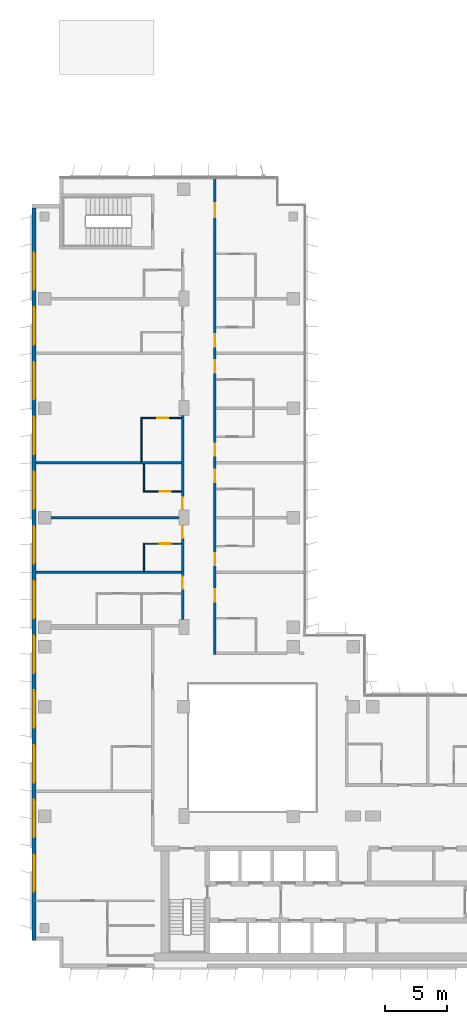
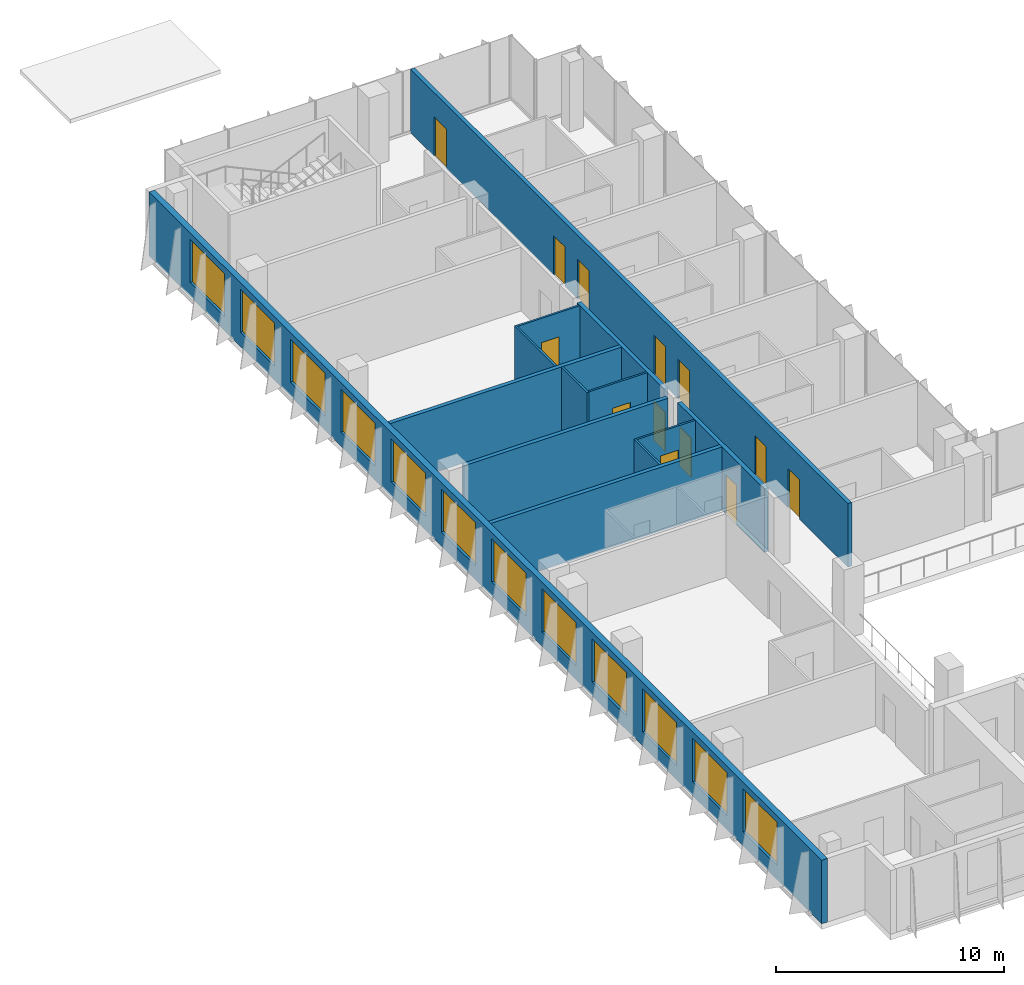
# One storey, part 16 of 21: 13 doors, 13 walls, 12 windows, 25 openings.
"""IFC4 building model written with IfcOpenShell, lengths in metres."""

from ifc_helpers import new_model, si_unit, direction, frame, frame_2d, origin, place, context, subcontext, project, spatial, rectangle, extrude, material, layer, layer_set, type_object, element, fill, save


model = new_model("IFC4")

# Units and contexts
model_context = context("Model", 3, precision=1e-05, world=origin(), true_north=direction((0.0, 1.0)))
body_context = subcontext(model_context, "Body", "Model", "MODEL_VIEW")
ifc_project = project(units=[si_unit("LENGTHUNIT", "METRE"), si_unit("AREAUNIT", "SQUARE_METRE"), si_unit("VOLUMEUNIT", "CUBIC_METRE"), si_unit("PLANEANGLEUNIT", "RADIAN"), si_unit("MASSUNIT", "GRAM", prefix="KILO")], contexts=[model_context])

# Site, building, storey
site_placement = place(None, origin())
site = spatial("IfcSite", under=ifc_project, at=site_placement, CompositionType="ELEMENT")
building_placement = place(site_placement, origin())
building = spatial("IfcBuilding", under=site, at=building_placement, Name="Kemantara Hotel Tower", CompositionType="ELEMENT")
storey_placement = place(building_placement, frame((0.0, 0.0, 156.800048828125)))
storey = spatial("IfcBuildingStorey", under=building, at=storey_placement, Name="L38", CompositionType="ELEMENT", Elevation=156.800048828125)

# Wall, openings, windows
ifc_material_1 = material(Name="Bronze anodised aluminium cladding on insulated steel stud wall", Category="steel")
ifc_layer_1 = layer(ifc_material_1, 0.300048828125)
ifc_layer_set_1 = layer_set([ifc_layer_1], Name="Bronze anodised aluminium cladding on insulated steel stud wall")
wall_type_1 = type_object("IfcWallType", Name="BRONZE METAL-CLAD EXTERNAL WALL 300", PredefinedType="STANDARD", material=ifc_layer_set_1)
wall_1_placement = place(storey_placement, frame((0.14990234375, 61.10009765625, 0.0), z_axis=(0.0, 0.0, 1.0), x_axis=(0.0, -1.0, 0.0)))
wall_1 = element("IfcWall", 1, at=wall_1_placement, inside=storey, type_object=wall_type_1, Name="EXTERNAL WALL L38 T3-R05", PredefinedType="STANDARD", context=body_context, shape_type="SweptSolid", body=[
    extrude(rectangle(XDim=58.900146484375, YDim=0.300048828125, at=frame_2d((29.4501953125, 0.0))), origin(), (0.0, 0.0, 1.0), 3.39990234375),
])
opening_1_placement = place(wall_1_placement, frame((3.60009765625, 0.0, 0.75)))
opening_1 = element("IfcOpeningElement", 2, at=opening_1_placement, cuts=wall_1, Name="Opening W1", PredefinedType="OPENING", context=body_context, shape_type="SweptSolid", body=[
    extrude(rectangle(XDim=3.0, YDim=2.300048828125, at=frame_2d((1.5, 1.14990234375))), frame((0.0, 0.159912109375, 0.0), z_axis=(0.0, -1.0, 0.0), x_axis=(1.0, 0.0, 0.0)), (0.0, 0.0, 1.0), 0.320068359375),
])
opening_2_placement = place(wall_1_placement, frame((8.0, 0.0, 0.75)))
opening_2 = element("IfcOpeningElement", 3, at=opening_2_placement, cuts=wall_1, Name="Opening W1", PredefinedType="OPENING", context=body_context, shape_type="SweptSolid", body=[
    extrude(rectangle(XDim=3.0, YDim=2.300048828125, at=frame_2d((1.5, 1.14990234375))), frame((0.0, 0.159912109375, 0.0), z_axis=(0.0, -1.0, 0.0), x_axis=(1.0, 0.0, 0.0)), (0.0, 0.0, 1.0), 0.320068359375),
])
opening_3_placement = place(wall_1_placement, frame((12.39990234375, 0.0, 0.75)))
opening_3 = element("IfcOpeningElement", 4, at=opening_3_placement, cuts=wall_1, Name="Opening W1", PredefinedType="OPENING", context=body_context, shape_type="SweptSolid", body=[
    extrude(rectangle(XDim=3.0, YDim=2.300048828125, at=frame_2d((1.5, 1.14990234375))), frame((0.0, 0.159912109375, 0.0), z_axis=(0.0, -1.0, 0.0), x_axis=(1.0, 0.0, 0.0)), (0.0, 0.0, 1.0), 0.320068359375),
])
opening_4_placement = place(wall_1_placement, frame((16.800048828125, 0.0, 0.75)))
opening_4 = element("IfcOpeningElement", 5, at=opening_4_placement, cuts=wall_1, Name="Opening W1", PredefinedType="OPENING", context=body_context, shape_type="SweptSolid", body=[
    extrude(rectangle(XDim=3.0, YDim=2.300048828125, at=frame_2d((1.5, 1.14990234375))), frame((0.0, 0.159912109375, 0.0), z_axis=(0.0, -1.0, 0.0), x_axis=(1.0, 0.0, 0.0)), (0.0, 0.0, 1.0), 0.320068359375),
])
opening_5_placement = place(wall_1_placement, frame((21.199951171875, 0.0, 0.75)))
opening_5 = element("IfcOpeningElement", 6, at=opening_5_placement, cuts=wall_1, Name="Opening W1", PredefinedType="OPENING", context=body_context, shape_type="SweptSolid", body=[
    extrude(rectangle(XDim=3.0, YDim=2.300048828125, at=frame_2d((1.5, 1.14990234375))), frame((0.0, 0.159912109375, 0.0), z_axis=(0.0, -1.0, 0.0), x_axis=(1.0, 0.0, 0.0)), (0.0, 0.0, 1.0), 0.320068359375),
])
opening_6_placement = place(wall_1_placement, frame((25.60009765625, 0.0, 0.75)))
opening_6 = element("IfcOpeningElement", 7, at=opening_6_placement, cuts=wall_1, Name="Opening W1", PredefinedType="OPENING", context=body_context, shape_type="SweptSolid", body=[
    extrude(rectangle(XDim=3.0, YDim=2.300048828125, at=frame_2d((1.5, 1.14990234375))), frame((0.0, 0.159912109375, 0.0), z_axis=(0.0, -1.0, 0.0), x_axis=(1.0, 0.0, 0.0)), (0.0, 0.0, 1.0), 0.320068359375),
])
opening_7_placement = place(wall_1_placement, frame((30.0, 0.0, 0.75)))
opening_7 = element("IfcOpeningElement", 8, at=opening_7_placement, cuts=wall_1, Name="Opening W1", PredefinedType="OPENING", context=body_context, shape_type="SweptSolid", body=[
    extrude(rectangle(XDim=3.0, YDim=2.300048828125, at=frame_2d((1.5, 1.14990234375))), frame((0.0, 0.159912109375, 0.0), z_axis=(0.0, -1.0, 0.0), x_axis=(1.0, 0.0, 0.0)), (0.0, 0.0, 1.0), 0.320068359375),
])
opening_8_placement = place(wall_1_placement, frame((34.39990234375, 0.0, 0.75)))
opening_8 = element("IfcOpeningElement", 9, at=opening_8_placement, cuts=wall_1, Name="Opening W1", PredefinedType="OPENING", context=body_context, shape_type="SweptSolid", body=[
    extrude(rectangle(XDim=3.0, YDim=2.300048828125, at=frame_2d((1.5, 1.14990234375))), frame((0.0, 0.159912109375, 0.0), z_axis=(0.0, -1.0, 0.0), x_axis=(1.0, 0.0, 0.0)), (0.0, 0.0, 1.0), 0.320068359375),
])
opening_9_placement = place(wall_1_placement, frame((38.800048828125, 0.0, 0.75)))
opening_9 = element("IfcOpeningElement", 10, at=opening_9_placement, cuts=wall_1, Name="Opening W1", PredefinedType="OPENING", context=body_context, shape_type="SweptSolid", body=[
    extrude(rectangle(XDim=3.0, YDim=2.300048828125, at=frame_2d((1.5, 1.14990234375))), frame((0.0, 0.159912109375, 0.0), z_axis=(0.0, -1.0, 0.0), x_axis=(1.0, 0.0, 0.0)), (0.0, 0.0, 1.0), 0.320068359375),
])
opening_10_placement = place(wall_1_placement, frame((43.199951171875, 0.0, 0.75)))
opening_10 = element("IfcOpeningElement", 11, at=opening_10_placement, cuts=wall_1, Name="Opening W1", PredefinedType="OPENING", context=body_context, shape_type="SweptSolid", body=[
    extrude(rectangle(XDim=3.0, YDim=2.300048828125, at=frame_2d((1.5, 1.14990234375))), frame((0.0, 0.159912109375, 0.0), z_axis=(0.0, -1.0, 0.0), x_axis=(1.0, 0.0, 0.0)), (0.0, 0.0, 1.0), 0.320068359375),
])
opening_11_placement = place(wall_1_placement, frame((47.60009765625, 0.0, 0.75)))
opening_11 = element("IfcOpeningElement", 12, at=opening_11_placement, cuts=wall_1, Name="Opening W1", PredefinedType="OPENING", context=body_context, shape_type="SweptSolid", body=[
    extrude(rectangle(XDim=3.0, YDim=2.300048828125, at=frame_2d((1.5, 1.14990234375))), frame((0.0, 0.159912109375, 0.0), z_axis=(0.0, -1.0, 0.0), x_axis=(1.0, 0.0, 0.0)), (0.0, 0.0, 1.0), 0.320068359375),
])
opening_12_placement = place(wall_1_placement, frame((52.0, 0.0, 0.75)))
opening_12 = element("IfcOpeningElement", 13, at=opening_12_placement, cuts=wall_1, Name="Opening W1", PredefinedType="OPENING", context=body_context, shape_type="SweptSolid", body=[
    extrude(rectangle(XDim=3.0, YDim=2.300048828125, at=frame_2d((1.5, 1.14990234375))), frame((0.0, 0.159912109375, 0.0), z_axis=(0.0, -1.0, 0.0), x_axis=(1.0, 0.0, 0.0)), (0.0, 0.0, 1.0), 0.320068359375),
])
ifc_material_2 = material(Name="Low-E tinted double insulated glass in bronze anodised aluminium frame", Category="aluminium")
window_type = type_object("IfcWindowType", Name="CHICAGO WINDOW, TRIPLE PANEL 3000x2300", PartitioningType="TRIPLE_PANEL_VERTICAL", PredefinedType="WINDOW", material=ifc_material_2)
window_1_placement = place(opening_1_placement, origin())
window_1 = element("IfcWindow", 14, at=window_1_placement, inside=storey, type_object=window_type, Name="CHICAGO WINDOW L38 T3-R05-54", OverallHeight=2.300048828125, OverallWidth=3.0, PartitioningType="SINGLE_PANEL", PredefinedType="WINDOW", context=body_context, shape_type="SweptSolid", body=[
    extrude(rectangle(XDim=3.0, YDim=2.300048828125, at=frame_2d((1.5, 1.14990234375))), frame((0.0, 0.030029296875, 0.0), z_axis=(0.0, -1.0, 0.0), x_axis=(1.0, 0.0, 0.0)), (0.0, 0.0, 1.0), 0.06005859375),
])
fill(opening_1, window_1)
window_2_placement = place(opening_2_placement, origin())
window_2 = element("IfcWindow", 15, at=window_2_placement, inside=storey, type_object=window_type, Name="CHICAGO WINDOW L38 T3-R05-98", OverallHeight=2.300048828125, OverallWidth=3.0, PartitioningType="SINGLE_PANEL", PredefinedType="WINDOW", context=body_context, shape_type="SweptSolid", body=[
    extrude(rectangle(XDim=3.0, YDim=2.300048828125, at=frame_2d((1.5, 1.14990234375))), frame((0.0, 0.030029296875, 0.0), z_axis=(0.0, -1.0, 0.0), x_axis=(1.0, 0.0, 0.0)), (0.0, 0.0, 1.0), 0.06005859375),
])
fill(opening_2, window_2)
window_3_placement = place(opening_3_placement, origin())
window_3 = element("IfcWindow", 16, at=window_3_placement, inside=storey, type_object=window_type, Name="CHICAGO WINDOW L38 T3-R05-142", OverallHeight=2.300048828125, OverallWidth=3.0, PartitioningType="SINGLE_PANEL", PredefinedType="WINDOW", context=body_context, shape_type="SweptSolid", body=[
    extrude(rectangle(XDim=3.0, YDim=2.300048828125, at=frame_2d((1.5, 1.14990234375))), frame((0.0, 0.030029296875, 0.0), z_axis=(0.0, -1.0, 0.0), x_axis=(1.0, 0.0, 0.0)), (0.0, 0.0, 1.0), 0.06005859375),
])
fill(opening_3, window_3)
window_4_placement = place(opening_4_placement, origin())
window_4 = element("IfcWindow", 17, at=window_4_placement, inside=storey, type_object=window_type, Name="CHICAGO WINDOW L38 T3-R05-186", OverallHeight=2.300048828125, OverallWidth=3.0, PartitioningType="SINGLE_PANEL", PredefinedType="WINDOW", context=body_context, shape_type="SweptSolid", body=[
    extrude(rectangle(XDim=3.0, YDim=2.300048828125, at=frame_2d((1.5, 1.14990234375))), frame((0.0, 0.030029296875, 0.0), z_axis=(0.0, -1.0, 0.0), x_axis=(1.0, 0.0, 0.0)), (0.0, 0.0, 1.0), 0.06005859375),
])
fill(opening_4, window_4)
window_5_placement = place(opening_5_placement, origin())
window_5 = element("IfcWindow", 18, at=window_5_placement, inside=storey, type_object=window_type, Name="CHICAGO WINDOW L38 T3-R05-230", OverallHeight=2.300048828125, OverallWidth=3.0, PartitioningType="SINGLE_PANEL", PredefinedType="WINDOW", context=body_context, shape_type="SweptSolid", body=[
    extrude(rectangle(XDim=3.0, YDim=2.300048828125, at=frame_2d((1.5, 1.14990234375))), frame((0.0, 0.030029296875, 0.0), z_axis=(0.0, -1.0, 0.0), x_axis=(1.0, 0.0, 0.0)), (0.0, 0.0, 1.0), 0.06005859375),
])
fill(opening_5, window_5)
window_6_placement = place(opening_6_placement, origin())
window_6 = element("IfcWindow", 19, at=window_6_placement, inside=storey, type_object=window_type, Name="CHICAGO WINDOW L38 T3-R05-274", OverallHeight=2.300048828125, OverallWidth=3.0, PartitioningType="SINGLE_PANEL", PredefinedType="WINDOW", context=body_context, shape_type="SweptSolid", body=[
    extrude(rectangle(XDim=3.0, YDim=2.300048828125, at=frame_2d((1.5, 1.14990234375))), frame((0.0, 0.030029296875, 0.0), z_axis=(0.0, -1.0, 0.0), x_axis=(1.0, 0.0, 0.0)), (0.0, 0.0, 1.0), 0.06005859375),
])
fill(opening_6, window_6)
window_7_placement = place(opening_7_placement, origin())
window_7 = element("IfcWindow", 20, at=window_7_placement, inside=storey, type_object=window_type, Name="CHICAGO WINDOW L38 T3-R05-318", OverallHeight=2.300048828125, OverallWidth=3.0, PartitioningType="SINGLE_PANEL", PredefinedType="WINDOW", context=body_context, shape_type="SweptSolid", body=[
    extrude(rectangle(XDim=3.0, YDim=2.300048828125, at=frame_2d((1.5, 1.14990234375))), frame((0.0, 0.030029296875, 0.0), z_axis=(0.0, -1.0, 0.0), x_axis=(1.0, 0.0, 0.0)), (0.0, 0.0, 1.0), 0.06005859375),
])
fill(opening_7, window_7)
window_8_placement = place(opening_8_placement, origin())
window_8 = element("IfcWindow", 21, at=window_8_placement, inside=storey, type_object=window_type, Name="CHICAGO WINDOW L38 T3-R05-362", OverallHeight=2.300048828125, OverallWidth=3.0, PartitioningType="SINGLE_PANEL", PredefinedType="WINDOW", context=body_context, shape_type="SweptSolid", body=[
    extrude(rectangle(XDim=3.0, YDim=2.300048828125, at=frame_2d((1.5, 1.14990234375))), frame((0.0, 0.030029296875, 0.0), z_axis=(0.0, -1.0, 0.0), x_axis=(1.0, 0.0, 0.0)), (0.0, 0.0, 1.0), 0.06005859375),
])
fill(opening_8, window_8)
window_9_placement = place(opening_9_placement, origin())
window_9 = element("IfcWindow", 22, at=window_9_placement, inside=storey, type_object=window_type, Name="CHICAGO WINDOW L38 T3-R05-406", OverallHeight=2.300048828125, OverallWidth=3.0, PartitioningType="SINGLE_PANEL", PredefinedType="WINDOW", context=body_context, shape_type="SweptSolid", body=[
    extrude(rectangle(XDim=3.0, YDim=2.300048828125, at=frame_2d((1.5, 1.14990234375))), frame((0.0, 0.030029296875, 0.0), z_axis=(0.0, -1.0, 0.0), x_axis=(1.0, 0.0, 0.0)), (0.0, 0.0, 1.0), 0.06005859375),
])
fill(opening_9, window_9)
window_10_placement = place(opening_10_placement, origin())
window_10 = element("IfcWindow", 23, at=window_10_placement, inside=storey, type_object=window_type, Name="CHICAGO WINDOW L38 T3-R05-450", OverallHeight=2.300048828125, OverallWidth=3.0, PartitioningType="SINGLE_PANEL", PredefinedType="WINDOW", context=body_context, shape_type="SweptSolid", body=[
    extrude(rectangle(XDim=3.0, YDim=2.300048828125, at=frame_2d((1.5, 1.14990234375))), frame((0.0, 0.030029296875, 0.0), z_axis=(0.0, -1.0, 0.0), x_axis=(1.0, 0.0, 0.0)), (0.0, 0.0, 1.0), 0.06005859375),
])
fill(opening_10, window_10)
window_11_placement = place(opening_11_placement, origin())
window_11 = element("IfcWindow", 24, at=window_11_placement, inside=storey, type_object=window_type, Name="CHICAGO WINDOW L38 T3-R05-494", OverallHeight=2.300048828125, OverallWidth=3.0, PartitioningType="SINGLE_PANEL", PredefinedType="WINDOW", context=body_context, shape_type="SweptSolid", body=[
    extrude(rectangle(XDim=3.0, YDim=2.300048828125, at=frame_2d((1.5, 1.14990234375))), frame((0.0, 0.030029296875, 0.0), z_axis=(0.0, -1.0, 0.0), x_axis=(1.0, 0.0, 0.0)), (0.0, 0.0, 1.0), 0.06005859375),
])
fill(opening_11, window_11)
window_12_placement = place(opening_12_placement, origin())
window_12 = element("IfcWindow", 25, at=window_12_placement, inside=storey, type_object=window_type, Name="CHICAGO WINDOW L38 T3-R05-538", OverallHeight=2.300048828125, OverallWidth=3.0, PartitioningType="SINGLE_PANEL", PredefinedType="WINDOW", context=body_context, shape_type="SweptSolid", body=[
    extrude(rectangle(XDim=3.0, YDim=2.300048828125, at=frame_2d((1.5, 1.14990234375))), frame((0.0, 0.030029296875, 0.0), z_axis=(0.0, -1.0, 0.0), x_axis=(1.0, 0.0, 0.0)), (0.0, 0.0, 1.0), 0.06005859375),
])
fill(opening_12, window_12)

# Wall, openings, doors
ifc_material_3 = material(Name="Gypsum board partition, steel studs and mineral wool, 200 mm", Category="steel")
ifc_layer_2 = layer(ifc_material_3, 0.199951171875)
ifc_layer_set_2 = layer_set([ifc_layer_2], Name="Gypsum board partition, steel studs and mineral wool, 200 mm")
wall_type_2 = type_object("IfcWallType", Name="CORRIDOR WALL 200", PredefinedType="PARTITIONING", material=ifc_layer_set_2)
wall_2_placement = place(storey_placement, frame((12.10009765625, 28.0, 0.0), z_axis=(0.0, 0.0, 1.0), x_axis=(0.0, 1.0, 0.0)))
wall_2 = element("IfcWall", 26, at=wall_2_placement, inside=storey, type_object=wall_type_2, Name="CORRIDOR WALL 200 017", PredefinedType="PARTITIONING", context=body_context, shape_type="SweptSolid", body=[
    extrude(rectangle(XDim=7.599853515625, YDim=0.199951171875, at=frame_2d((3.7998046875, 0.0))), origin(), (0.0, 0.0, 1.0), 3.39990234375),
])
opening_13_placement = place(wall_2_placement, frame((2.449951171875, 0.0, 0.0)))
opening_13 = element("IfcOpeningElement", 27, at=opening_13_placement, cuts=wall_2, Name="Opening F17-025", PredefinedType="OPENING", context=body_context, shape_type="SweptSolid", body=[
    extrude(rectangle(XDim=1.0, YDim=2.10009765625, at=frame_2d((0.5, 1.050048828125))), frame((0.0, 0.10986328125, 0.0), z_axis=(0.0, -1.0, 0.0), x_axis=(1.0, 0.0, 0.0)), (0.0, 0.0, 1.0), 0.219970703125),
])
opening_14_placement = place(wall_2_placement, frame((6.5498046875, 0.0, 0.0)))
opening_14 = element("IfcOpeningElement", 28, at=opening_14_placement, cuts=wall_2, Name="Opening F17-028", PredefinedType="OPENING", context=body_context, shape_type="SweptSolid", body=[
    extrude(rectangle(XDim=1.0, YDim=2.10009765625, at=frame_2d((0.5, 1.050048828125))), frame((0.0, 0.10986328125, 0.0), z_axis=(0.0, -1.0, 0.0), x_axis=(1.0, 0.0, 0.0)), (0.0, 0.0, 1.0), 0.219970703125),
])
ifc_material_4 = material(Name="Hardwood veneer door leaf with steel frame", Category="steel")
door_type_1 = type_object("IfcDoorType", Name="GUEST ROOM DOOR 1000 X 2100 FD30S", OperationType="NOTDEFINED", PredefinedType="DOOR", material=ifc_material_4)
door_1_placement = place(opening_13_placement, origin())
door_1 = element("IfcDoor", 29, at=door_1_placement, inside=storey, type_object=door_type_1, Name="GUEST ROOM DOOR F17-025", OperationType="SINGLE_SWING_RIGHT", OverallHeight=2.10009765625, OverallWidth=1.0, PredefinedType="DOOR", context=body_context, shape_type="SweptSolid", body=[
    extrude(rectangle(XDim=1.0, YDim=2.10009765625, at=frame_2d((0.5, 1.050048828125))), frame((0.0, 0.02490234375, 0.0), z_axis=(0.0, -1.0, 0.0), x_axis=(1.0, 0.0, 0.0)), (0.0, 0.0, 1.0), 0.050048828125),
])
fill(opening_13, door_1)
door_2_placement = place(opening_14_placement, origin())
door_2 = element("IfcDoor", 30, at=door_2_placement, inside=storey, type_object=door_type_1, Name="GUEST ROOM DOOR F17-028", OperationType="SINGLE_SWING_RIGHT", OverallHeight=2.10009765625, OverallWidth=1.0, PredefinedType="DOOR", context=body_context, shape_type="SweptSolid", body=[
    extrude(rectangle(XDim=1.0, YDim=2.10009765625, at=frame_2d((0.5, 1.050048828125))), frame((0.0, 0.02490234375, 0.0), z_axis=(0.0, -1.0, 0.0), x_axis=(1.0, 0.0, 0.0)), (0.0, 0.0, 1.0), 0.050048828125),
])
fill(opening_14, door_2)

# Wall, opening, door
wall_3_placement = place(storey_placement, frame((12.10009765625, 36.800048828125, 0.0), z_axis=(0.0, 0.0, 1.0), x_axis=(0.0, 1.0, 0.0)))
wall_3 = element("IfcWall", 31, at=wall_3_placement, inside=storey, type_object=wall_type_2, Name="CORRIDOR WALL 200 018", PredefinedType="PARTITIONING", context=body_context, shape_type="SweptSolid", body=[
    extrude(rectangle(XDim=7.599853515625, YDim=0.199951171875, at=frame_2d((3.7998046875, 0.0))), origin(), (0.0, 0.0, 1.0), 3.39990234375),
])
opening_15_placement = place(wall_3_placement, frame((0.0498046875, 0.0, 0.0)))
opening_15 = element("IfcOpeningElement", 32, at=opening_15_placement, cuts=wall_3, Name="Opening F17-030", PredefinedType="OPENING", context=body_context, shape_type="SweptSolid", body=[
    extrude(rectangle(XDim=1.0, YDim=2.10009765625, at=frame_2d((0.5, 1.050048828125))), frame((0.0, 0.10986328125, 0.0), z_axis=(0.0, -1.0, 0.0), x_axis=(1.0, 0.0, 0.0)), (0.0, 0.0, 1.0), 0.219970703125),
])
door_3_placement = place(opening_15_placement, origin())
door_3 = element("IfcDoor", 33, at=door_3_placement, inside=storey, type_object=door_type_1, Name="GUEST ROOM DOOR F17-030", OperationType="SINGLE_SWING_LEFT", OverallHeight=2.10009765625, OverallWidth=1.0, PredefinedType="DOOR", context=body_context, shape_type="SweptSolid", body=[
    extrude(rectangle(XDim=1.0, YDim=2.10009765625, at=frame_2d((0.5, 1.050048828125))), frame((0.0, 0.02490234375, 0.0), z_axis=(0.0, -1.0, 0.0), x_axis=(1.0, 0.0, 0.0)), (0.0, 0.0, 1.0), 0.050048828125),
])
fill(opening_15, door_3)

# Wall, openings, doors
wall_4_placement = place(storey_placement, frame((14.699951171875, 63.47998046875, 0.0), z_axis=(0.0, 0.0, 1.0), x_axis=(0.0, -1.0, 0.0)))
wall_4 = element("IfcWall", 34, at=wall_4_placement, inside=storey, type_object=wall_type_2, Name="CORRIDOR WALL 200 032", PredefinedType="PARTITIONING", context=body_context, shape_type="SweptSolid", body=[
    extrude(rectangle(XDim=38.280029296875, YDim=0.199951171875, at=frame_2d((19.14013671875, 0.0))), origin(), (0.0, 0.0, 1.0), 3.39990234375),
])
opening_16_placement = place(wall_4_placement, frame((33.02978515625, 0.0, 0.0)))
opening_16 = element("IfcOpeningElement", 35, at=opening_16_placement, cuts=wall_4, Name="Opening F17-038", PredefinedType="OPENING", context=body_context, shape_type="SweptSolid", body=[
    extrude(rectangle(XDim=1.0, YDim=2.10009765625, at=frame_2d((0.5, 1.050048828125))), frame((0.0, 0.10986328125, 0.0), z_axis=(0.0, -1.0, 0.0), x_axis=(1.0, 0.0, 0.0)), (0.0, 0.0, 1.0), 0.219970703125),
])
opening_17_placement = place(wall_4_placement, frame((30.1298828125, 0.0, 0.0)))
opening_17 = element("IfcOpeningElement", 36, at=opening_17_placement, cuts=wall_4, Name="Opening F17-040", PredefinedType="OPENING", context=body_context, shape_type="SweptSolid", body=[
    extrude(rectangle(XDim=1.0, YDim=2.10009765625, at=frame_2d((0.5, 1.050048828125))), frame((0.0, 0.10986328125, 0.0), z_axis=(0.0, -1.0, 0.0), x_axis=(1.0, 0.0, 0.0)), (0.0, 0.0, 1.0), 0.219970703125),
])
opening_18_placement = place(wall_4_placement, frame((23.429931640625, 0.0, 0.0)))
opening_18 = element("IfcOpeningElement", 37, at=opening_18_placement, cuts=wall_4, Name="Opening F17-042", PredefinedType="OPENING", context=body_context, shape_type="SweptSolid", body=[
    extrude(rectangle(XDim=1.0, YDim=2.10009765625, at=frame_2d((0.5, 1.050048828125))), frame((0.0, 0.10986328125, 0.0), z_axis=(0.0, -1.0, 0.0), x_axis=(1.0, 0.0, 0.0)), (0.0, 0.0, 1.0), 0.219970703125),
])
opening_19_placement = place(wall_4_placement, frame((21.329833984375, 0.0, 0.0)))
opening_19 = element("IfcOpeningElement", 38, at=opening_19_placement, cuts=wall_4, Name="Opening F17-044", PredefinedType="OPENING", context=body_context, shape_type="SweptSolid", body=[
    extrude(rectangle(XDim=1.0, YDim=2.10009765625, at=frame_2d((0.5, 1.050048828125))), frame((0.0, 0.10986328125, 0.0), z_axis=(0.0, -1.0, 0.0), x_axis=(1.0, 0.0, 0.0)), (0.0, 0.0, 1.0), 0.219970703125),
])
opening_20_placement = place(wall_4_placement, frame((14.6298828125, 0.0, 0.0)))
opening_20 = element("IfcOpeningElement", 39, at=opening_20_placement, cuts=wall_4, Name="Opening F17-046", PredefinedType="OPENING", context=body_context, shape_type="SweptSolid", body=[
    extrude(rectangle(XDim=1.0, YDim=2.10009765625, at=frame_2d((0.5, 1.050048828125))), frame((0.0, 0.10986328125, 0.0), z_axis=(0.0, -1.0, 0.0), x_axis=(1.0, 0.0, 0.0)), (0.0, 0.0, 1.0), 0.219970703125),
])
opening_21_placement = place(wall_4_placement, frame((12.52978515625, 0.0, 0.0)))
opening_21 = element("IfcOpeningElement", 40, at=opening_21_placement, cuts=wall_4, Name="Opening F17-048", PredefinedType="OPENING", context=body_context, shape_type="SweptSolid", body=[
    extrude(rectangle(XDim=1.0, YDim=2.10009765625, at=frame_2d((0.5, 1.050048828125))), frame((0.0, 0.10986328125, 0.0), z_axis=(0.0, -1.0, 0.0), x_axis=(1.0, 0.0, 0.0)), (0.0, 0.0, 1.0), 0.219970703125),
])
opening_22_placement = place(wall_4_placement, frame((2.02978515625, 0.0, 0.0)))
opening_22 = element("IfcOpeningElement", 41, at=opening_22_placement, cuts=wall_4, Name="Opening F17-050", PredefinedType="OPENING", context=body_context, shape_type="SweptSolid", body=[
    extrude(rectangle(XDim=1.10009765625, YDim=2.10009765625, at=frame_2d((0.550048828125, 1.050048828125))), frame((0.0, 0.10986328125, 0.0), z_axis=(0.0, -1.0, 0.0), x_axis=(1.0, 0.0, 0.0)), (0.0, 0.0, 1.0), 0.219970703125),
])
door_4_placement = place(opening_16_placement, origin())
door_4 = element("IfcDoor", 42, at=door_4_placement, inside=storey, type_object=door_type_1, Name="GUEST ROOM DOOR F17-038", OperationType="SINGLE_SWING_LEFT", OverallHeight=2.10009765625, OverallWidth=1.0, PredefinedType="DOOR", context=body_context, shape_type="SweptSolid", body=[
    extrude(rectangle(XDim=1.0, YDim=2.10009765625, at=frame_2d((0.5, 1.050048828125))), frame((0.0, 0.02490234375, 0.0), z_axis=(0.0, -1.0, 0.0), x_axis=(1.0, 0.0, 0.0)), (0.0, 0.0, 1.0), 0.050048828125),
])
fill(opening_16, door_4)
door_5_placement = place(opening_17_placement, origin())
door_5 = element("IfcDoor", 43, at=door_5_placement, inside=storey, type_object=door_type_1, Name="GUEST ROOM DOOR F17-040", OperationType="SINGLE_SWING_RIGHT", OverallHeight=2.10009765625, OverallWidth=1.0, PredefinedType="DOOR", context=body_context, shape_type="SweptSolid", body=[
    extrude(rectangle(XDim=1.0, YDim=2.10009765625, at=frame_2d((0.5, 1.050048828125))), frame((0.0, 0.02490234375, 0.0), z_axis=(0.0, -1.0, 0.0), x_axis=(1.0, 0.0, 0.0)), (0.0, 0.0, 1.0), 0.050048828125),
])
fill(opening_17, door_5)
door_6_placement = place(opening_18_placement, origin())
door_6 = element("IfcDoor", 44, at=door_6_placement, inside=storey, type_object=door_type_1, Name="GUEST ROOM DOOR F17-042", OperationType="SINGLE_SWING_LEFT", OverallHeight=2.10009765625, OverallWidth=1.0, PredefinedType="DOOR", context=body_context, shape_type="SweptSolid", body=[
    extrude(rectangle(XDim=1.0, YDim=2.10009765625, at=frame_2d((0.5, 1.050048828125))), frame((0.0, 0.02490234375, 0.0), z_axis=(0.0, -1.0, 0.0), x_axis=(1.0, 0.0, 0.0)), (0.0, 0.0, 1.0), 0.050048828125),
])
fill(opening_18, door_6)
door_7_placement = place(opening_19_placement, origin())
door_7 = element("IfcDoor", 45, at=door_7_placement, inside=storey, type_object=door_type_1, Name="GUEST ROOM DOOR F17-044", OperationType="SINGLE_SWING_RIGHT", OverallHeight=2.10009765625, OverallWidth=1.0, PredefinedType="DOOR", context=body_context, shape_type="SweptSolid", body=[
    extrude(rectangle(XDim=1.0, YDim=2.10009765625, at=frame_2d((0.5, 1.050048828125))), frame((0.0, 0.02490234375, 0.0), z_axis=(0.0, -1.0, 0.0), x_axis=(1.0, 0.0, 0.0)), (0.0, 0.0, 1.0), 0.050048828125),
])
fill(opening_19, door_7)
door_8_placement = place(opening_20_placement, origin())
door_8 = element("IfcDoor", 46, at=door_8_placement, inside=storey, type_object=door_type_1, Name="GUEST ROOM DOOR F17-046", OperationType="SINGLE_SWING_LEFT", OverallHeight=2.10009765625, OverallWidth=1.0, PredefinedType="DOOR", context=body_context, shape_type="SweptSolid", body=[
    extrude(rectangle(XDim=1.0, YDim=2.10009765625, at=frame_2d((0.5, 1.050048828125))), frame((0.0, 0.02490234375, 0.0), z_axis=(0.0, -1.0, 0.0), x_axis=(1.0, 0.0, 0.0)), (0.0, 0.0, 1.0), 0.050048828125),
])
fill(opening_20, door_8)
door_9_placement = place(opening_21_placement, origin())
door_9 = element("IfcDoor", 47, at=door_9_placement, inside=storey, type_object=door_type_1, Name="GUEST ROOM DOOR F17-048", OperationType="SINGLE_SWING_RIGHT", OverallHeight=2.10009765625, OverallWidth=1.0, PredefinedType="DOOR", context=body_context, shape_type="SweptSolid", body=[
    extrude(rectangle(XDim=1.0, YDim=2.10009765625, at=frame_2d((0.5, 1.050048828125))), frame((0.0, 0.02490234375, 0.0), z_axis=(0.0, -1.0, 0.0), x_axis=(1.0, 0.0, 0.0)), (0.0, 0.0, 1.0), 0.050048828125),
])
fill(opening_21, door_9)
door_type_2 = type_object("IfcDoorType", Name="SUITE ENTRANCE DOOR 1100 X 2100 FD30S", OperationType="NOTDEFINED", PredefinedType="DOOR", material=ifc_material_4)
door_10_placement = place(opening_22_placement, origin())
door_10 = element("IfcDoor", 48, at=door_10_placement, inside=storey, type_object=door_type_2, Name="SUITE ENTRANCE DOOR F17-050", OperationType="SINGLE_SWING_LEFT", OverallHeight=2.10009765625, OverallWidth=1.10009765625, PredefinedType="DOOR", context=body_context, shape_type="SweptSolid", body=[
    extrude(rectangle(XDim=1.10009765625, YDim=2.10009765625, at=frame_2d((0.550048828125, 1.050048828125))), frame((0.0, 0.02490234375, 0.0), z_axis=(0.0, -1.0, 0.0), x_axis=(1.0, 0.0, 0.0)), (0.0, 0.0, 1.0), 0.050048828125),
])
fill(opening_22, door_10)

# Walls
ifc_layer_3 = layer(ifc_material_3, 0.199951171875)
ifc_layer_set_3 = layer_set([ifc_layer_3], Name="Gypsum board partition, steel studs and mineral wool, 200 mm")
wall_type_3 = type_object("IfcWallType", Name="GUEST ROOM PARTY WALL 200", PredefinedType="PARTITIONING", material=ifc_layer_set_3)
wall_5_placement = place(storey_placement, frame((0.31005859375, 31.800048828125, 0.0), z_axis=(0.0, 0.0, 1.0), x_axis=(1.0, 0.0, 0.0)))
element("IfcWall", 49, at=wall_5_placement, inside=storey, type_object=wall_type_3, Name="GUEST ROOM PARTY WALL 200 022", PredefinedType="PARTITIONING", context=body_context, shape_type="SweptSolid", body=[
    extrude(rectangle(XDim=11.68994140625, YDim=0.199951171875, at=frame_2d((5.844970703125, 0.0))), origin(), (0.0, 0.0, 1.0), 3.39990234375),
])
wall_6_placement = place(storey_placement, frame((1.5, 36.199951171875, 0.0), z_axis=(0.0, 0.0, 1.0), x_axis=(1.0, 0.0, 0.0)))
element("IfcWall", 50, at=wall_6_placement, inside=storey, type_object=wall_type_3, Name="GUEST ROOM PARTY WALL 200 024", PredefinedType="PARTITIONING", context=body_context, shape_type="SweptSolid", body=[
    extrude(rectangle(XDim=10.2998046875, YDim=0.199951171875, at=frame_2d((5.14990234375, 0.0))), origin(), (0.0, 0.0, 1.0), 3.39990234375),
])
wall_7_placement = place(storey_placement, frame((0.31005859375, 40.60009765625, 0.0), z_axis=(0.0, 0.0, 1.0), x_axis=(1.0, 0.0, 0.0)))
element("IfcWall", 51, at=wall_7_placement, inside=storey, type_object=wall_type_3, Name="GUEST ROOM PARTY WALL 200 026", PredefinedType="PARTITIONING", context=body_context, shape_type="SweptSolid", body=[
    extrude(rectangle(XDim=11.68994140625, YDim=0.199951171875, at=frame_2d((5.844970703125, 0.0))), origin(), (0.0, 0.0, 1.0), 3.39990234375),
])
ifc_material_5 = material(Name="Gypsum board partition on steel studs, 100 mm", Category="steel")
ifc_layer_4 = layer(ifc_material_5, 0.10009765625)
ifc_layer_set_4 = layer_set([ifc_layer_4], Name="Gypsum board partition on steel studs, 100 mm")
wall_type_4 = type_object("IfcWallType", Name="ROOM PARTITION 100", PredefinedType="PARTITIONING", material=ifc_layer_set_4)
wall_8_placement = place(storey_placement, frame((8.800048828125, 40.699951171875, 0.0), z_axis=(0.0, 0.0, 1.0), x_axis=(0.0, 1.0, 0.0)))
element("IfcWall", 52, at=wall_8_placement, inside=storey, type_object=wall_type_4, Name="ROOM PARTITION 100 063", PredefinedType="PARTITIONING", context=body_context, shape_type="SweptSolid", body=[
    extrude(rectangle(XDim=3.550048828125, YDim=0.10009765625, at=frame_2d((1.77490234375, 0.0))), origin(), (0.0, 0.0, 1.0), 3.39990234375),
])
for number, where, z_axis, x_axis, name in (
    (53, (9.0, 31.89990234375, 0.0), (0.0, 0.0, 1.0), (0.0, 1.0, 0.0), "ROOM PARTITION 100 066"),
    (54, (9.0, 38.25, 0.0), (0.0, 0.0, 1.0), (0.0, 1.0, 0.0), "ROOM PARTITION 100 067"),
):
    element("IfcWall", number, at=place(storey_placement, frame(where, z_axis=z_axis, x_axis=x_axis)), inside=storey, type_object=wall_type_4, Name=name, PredefinedType="PARTITIONING", context=body_context, shape_type="SweptSolid", body=[
        extrude(rectangle(XDim=2.25, YDim=0.10009765625, at=frame_2d((1.125, 0.0))), origin(), (0.0, 0.0, 1.0), 3.39990234375),
    ])

# Wall, opening, door
wall_9_placement = place(storey_placement, frame((12.0, 34.10009765625, 0.0), z_axis=(0.0, 0.0, 1.0), x_axis=(-1.0, 0.0, 0.0)))
wall_9 = element("IfcWall", 55, at=wall_9_placement, inside=storey, type_object=wall_type_4, Name="ROOM PARTITION 100 069", PredefinedType="PARTITIONING", context=body_context, shape_type="SweptSolid", body=[
    extrude(rectangle(XDim=2.949951171875, YDim=0.10009765625, at=frame_2d((1.47509765625, 0.0))), origin(), (0.0, 0.0, 1.0), 3.39990234375),
])
opening_23_placement = place(wall_9_placement, frame((0.85009765625, 0.0, 0.0)))
opening_23 = element("IfcOpeningElement", 56, at=opening_23_placement, cuts=wall_9, Name="Opening F17-029", PredefinedType="OPENING", context=body_context, shape_type="SweptSolid", body=[
    extrude(rectangle(XDim=0.89990234375, YDim=2.10009765625, at=frame_2d((0.449951171875, 1.050048828125))), frame((0.0, 0.06005859375, 0.0), z_axis=(0.0, -1.0, 0.0), x_axis=(1.0, 0.0, 0.0)), (0.0, 0.0, 1.0), 0.1201171875),
])
door_type_3 = type_object("IfcDoorType", Name="BATHROOM DOOR 900 X 2100", OperationType="NOTDEFINED", PredefinedType="DOOR", material=ifc_material_4)
door_11_placement = place(opening_23_placement, origin())
door_11 = element("IfcDoor", 57, at=door_11_placement, inside=storey, type_object=door_type_3, Name="BATHROOM DOOR F17-029", OperationType="SINGLE_SWING_LEFT", OverallHeight=2.10009765625, OverallWidth=0.89990234375, PredefinedType="DOOR", context=body_context, shape_type="SweptSolid", body=[
    extrude(rectangle(XDim=0.89990234375, YDim=2.10009765625, at=frame_2d((0.449951171875, 1.050048828125))), frame((0.0, 0.02490234375, 0.0), z_axis=(0.0, -1.0, 0.0), x_axis=(1.0, 0.0, 0.0)), (0.0, 0.0, 1.0), 0.050048828125),
])
fill(opening_23, door_11)

wall_10_placement = place(storey_placement, frame((9.050048828125, 38.300048828125, 0.0), z_axis=(0.0, 0.0, 1.0), x_axis=(1.0, 0.0, 0.0)))
wall_10 = element("IfcWall", 58, at=wall_10_placement, inside=storey, type_object=wall_type_4, Name="ROOM PARTITION 100 070", PredefinedType="PARTITIONING", context=body_context, shape_type="SweptSolid", body=[
    extrude(rectangle(XDim=2.949951171875, YDim=0.10009765625, at=frame_2d((1.47509765625, 0.0))), origin(), (0.0, 0.0, 1.0), 3.39990234375),
])
opening_24_placement = place(wall_10_placement, frame((1.199951171875, 0.0, 0.0)))
opening_24 = element("IfcOpeningElement", 59, at=opening_24_placement, cuts=wall_10, Name="Opening F17-031", PredefinedType="OPENING", context=body_context, shape_type="SweptSolid", body=[
    extrude(rectangle(XDim=0.89990234375, YDim=2.10009765625, at=frame_2d((0.449951171875, 1.050048828125))), frame((0.0, 0.06005859375, 0.0), z_axis=(0.0, -1.0, 0.0), x_axis=(1.0, 0.0, 0.0)), (0.0, 0.0, 1.0), 0.1201171875),
])
door_12_placement = place(opening_24_placement, origin())
door_12 = element("IfcDoor", 60, at=door_12_placement, inside=storey, type_object=door_type_3, Name="BATHROOM DOOR F17-031", OperationType="SINGLE_SWING_RIGHT", OverallHeight=2.10009765625, OverallWidth=0.89990234375, PredefinedType="DOOR", context=body_context, shape_type="SweptSolid", body=[
    extrude(rectangle(XDim=0.89990234375, YDim=2.10009765625, at=frame_2d((0.449951171875, 1.050048828125))), frame((0.0, 0.02490234375, 0.0), z_axis=(0.0, -1.0, 0.0), x_axis=(1.0, 0.0, 0.0)), (0.0, 0.0, 1.0), 0.050048828125),
])
fill(opening_24, door_12)

wall_11_placement = place(storey_placement, frame((12.0, 44.199951171875, 0.0), z_axis=(0.0, 0.0, 1.0), x_axis=(-1.0, 0.0, 0.0)))
wall_11 = element("IfcWall", 61, at=wall_11_placement, inside=storey, type_object=wall_type_4, Name="ROOM PARTITION 100 071", PredefinedType="PARTITIONING", context=body_context, shape_type="SweptSolid", body=[
    extrude(rectangle(XDim=3.14990234375, YDim=0.10009765625, at=frame_2d((1.574951171875, 0.0))), origin(), (0.0, 0.0, 1.0), 3.39990234375),
])
opening_25_placement = place(wall_11_placement, frame((1.050048828125, 0.0, 0.0)))
opening_25 = element("IfcOpeningElement", 62, at=opening_25_placement, cuts=wall_11, Name="Opening F17-033", PredefinedType="OPENING", context=body_context, shape_type="SweptSolid", body=[
    extrude(rectangle(XDim=0.89990234375, YDim=2.10009765625, at=frame_2d((0.449951171875, 1.050048828125))), frame((0.0, 0.06005859375, 0.0), z_axis=(0.0, -1.0, 0.0), x_axis=(1.0, 0.0, 0.0)), (0.0, 0.0, 1.0), 0.1201171875),
])
door_13_placement = place(opening_25_placement, origin())
door_13 = element("IfcDoor", 63, at=door_13_placement, inside=storey, type_object=door_type_3, Name="BATHROOM DOOR F17-033", OperationType="SINGLE_SWING_LEFT", OverallHeight=2.10009765625, OverallWidth=0.89990234375, PredefinedType="DOOR", context=body_context, shape_type="SweptSolid", body=[
    extrude(rectangle(XDim=0.89990234375, YDim=2.10009765625, at=frame_2d((0.449951171875, 1.050048828125))), frame((0.0, 0.02490234375, 0.0), z_axis=(0.0, -1.0, 0.0), x_axis=(1.0, 0.0, 0.0)), (0.0, 0.0, 1.0), 0.050048828125),
])
fill(opening_25, door_13)

save(model, "model.ifc")
